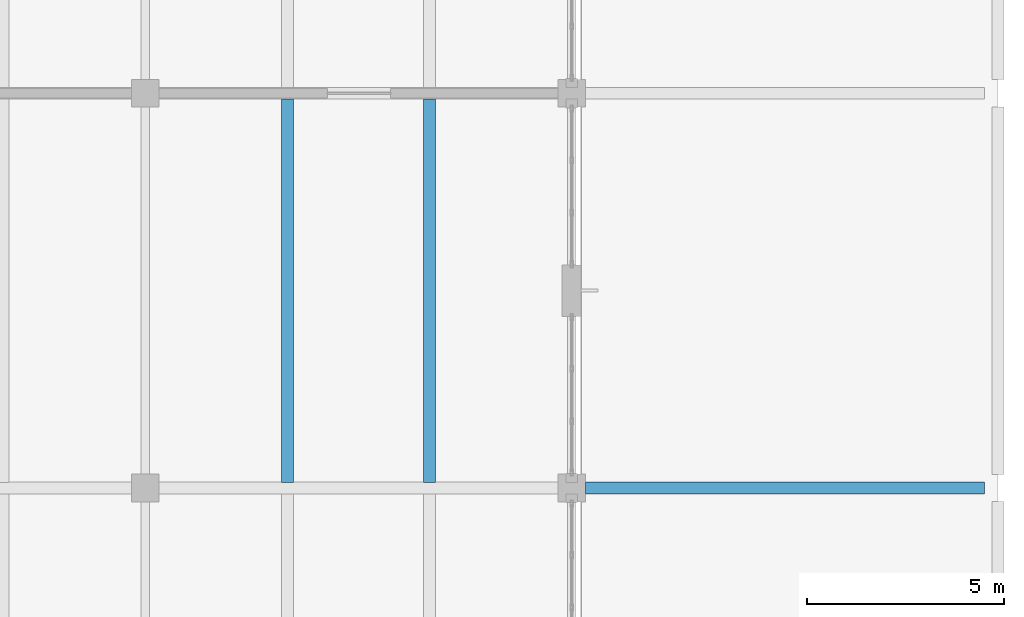
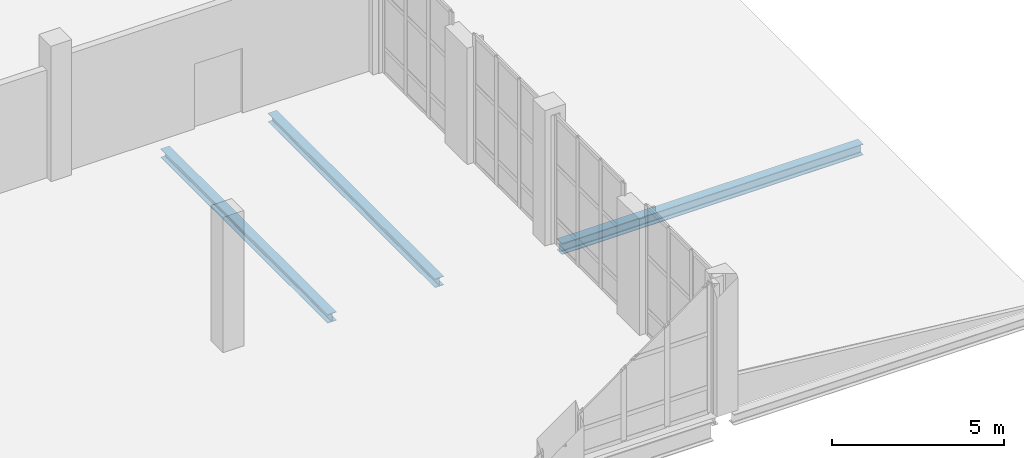
# One storey, part 51 of 92: 3 beams.
"""IFC4 building model written with IfcOpenShell, lengths in metres."""

import ifcopenshell
import ifcopenshell.guid

model = None  # the IFC model being written
_history = None  # IfcOwnerHistory: only IFC2X3 demands one
_inside = {}  # id of a spatial element -> (the spatial element, [elements in it])
_under = {}  # id of a project, library or spatial element -> (it, [spatial elements below it])
_declared = {}  # id of a project -> (the project, [libraries it declares])
_typed = {}  # id of a type object -> (the type object, [elements of that type])
_made_of = {}  # id of a material, layer set ... -> (it, [elements and type objects made of it])


def new_model(schema):
    """Start an empty IFC model of exactly this schema.

    Asked for "IFC4X3", IfcOpenShell would pick the latest addendum, in which some entities
    have other attributes; the version numbers below select the first issue.
    IFC2X3 requires an IfcOwnerHistory on every rooted entity: one is made here for all.
    """
    global model, _history
    if schema == "IFC4X3":
        model = ifcopenshell.file(schema_version=(4, 3, 0, 0))
    else:
        model = ifcopenshell.file(schema=schema)
    _inside.clear()
    _under.clear()
    _declared.clear()
    _typed.clear()
    _made_of.clear()
    _history = None
    if model.schema == "IFC2X3":
        org = make("IfcOrganization", Name="unknown")
        user = make(
            "IfcPersonAndOrganization",
            ThePerson=make("IfcPerson", FamilyName="unknown"),
            TheOrganization=org,
        )
        app = make(
            "IfcApplication",
            ApplicationDeveloper=org,
            Version="unknown",
            ApplicationFullName="unknown",
            ApplicationIdentifier="unknown",
        )
        _history = make(
            "IfcOwnerHistory",
            OwningUser=user,
            OwningApplication=app,
            ChangeAction="ADDED",
            CreationDate=0,
        )
    return model


def make(cls, **values):
    """One entity of the class cls with the attributes given. An attribute that is None is left unset."""
    return model.create_entity(
        cls, **{name: value for name, value in values.items() if value is not None}
    )


def rooted(cls, **values):
    """An entity with a GlobalId (a new one), such as an element, a storey or a relation."""
    return make(cls, GlobalId=ifcopenshell.guid.new(), OwnerHistory=_history, **values)


def si_unit(unit_type, name, prefix=None):
    """IfcSIUnit, for example si_unit("LENGTHUNIT", "METRE", prefix="MILLI")."""
    return make("IfcSIUnit", UnitType=unit_type, Prefix=prefix, Name=name)


def assignment(units):
    """IfcUnitAssignment: the units of a project."""
    return None if units is None else make("IfcUnitAssignment", Units=units)


def point(xyz):
    """IfcCartesianPoint."""
    return None if xyz is None else make("IfcCartesianPoint", Coordinates=xyz)


def direction(xyz):
    """IfcDirection."""
    return None if xyz is None else make("IfcDirection", DirectionRatios=xyz)


def frame(location, z_axis=None, x_axis=None):
    """IfcAxis2Placement3D, a coordinate frame: its origin and axes. An axis left out is left unset."""
    return make(
        "IfcAxis2Placement3D",
        Location=point(location),
        Axis=direction(z_axis),
        RefDirection=direction(x_axis),
    )


def frame_2d(location, x_axis=None):
    """IfcAxis2Placement2D, a coordinate frame in the plane: its origin and x axis."""
    return make(
        "IfcAxis2Placement2D", Location=point(location), RefDirection=direction(x_axis)
    )


def origin():
    """The frame at (0, 0, 0) with its axes left unset."""
    return frame((0.0, 0.0, 0.0))


def origin_2d():
    """The frame at (0, 0) in the plane with its x axis left unset."""
    return frame_2d((0.0, 0.0))


def place(relative_to, where):
    """IfcLocalPlacement: puts the frame where relative to a parent placement (None: the world)."""
    return make(
        "IfcLocalPlacement", PlacementRelTo=relative_to, RelativePlacement=where
    )


def context(
    kind, dimensions, precision=None, world=None, true_north=None, identifier=None
):
    """IfcGeometricRepresentationContext, for example the 3D "Model" context."""
    return make(
        "IfcGeometricRepresentationContext",
        ContextIdentifier=identifier,
        ContextType=kind,
        CoordinateSpaceDimension=dimensions,
        Precision=precision,
        WorldCoordinateSystem=world,
        TrueNorth=true_north,
    )


def subcontext(parent, identifier, kind, view, scale=None):
    """IfcGeometricRepresentationSubContext, for example "Body" below "Model"."""
    return make(
        "IfcGeometricRepresentationSubContext",
        ContextIdentifier=identifier,
        ContextType=kind,
        ParentContext=parent,
        TargetScale=scale,
        TargetView=view,
    )


def project(units=None, contexts=None):
    """IfcProject with its units and contexts."""
    return rooted(
        "IfcProject",
        Name="project",
        RepresentationContexts=contexts,
        UnitsInContext=assignment(units),
    )


def spatial(cls, under=None, at=None, **own):
    """A site, building, storey or space (cls), placed at a placement, below another one or the project."""
    s = rooted(cls, ObjectPlacement=at, **own)
    if under is not None:
        _under.setdefault(under.id(), (under, []))[1].append(s)
    return s


def profile(cls, at=None, kind="AREA", **sizes):
    """A parametric profile (cls). Its sizes go by their IFC names, for example OverallWidth=200.0."""
    return make(cls, ProfileType=kind, Position=at, **sizes)


def i_section(**sizes):
    """IfcIShapeProfileDef."""
    return profile("IfcIShapeProfileDef", **sizes)


def extrude(swept, where, along, depth):
    """IfcExtrudedAreaSolid: the profile swept, set in the frame where, extruded along a direction by depth."""
    return make(
        "IfcExtrudedAreaSolid",
        SweptArea=swept,
        Position=where,
        ExtrudedDirection=direction(along),
        Depth=depth,
    )


def shape(context_of_items, identifier, shape_type, items):
    """IfcShapeRepresentation: the items that make up one representation, for example the "Body"."""
    return make(
        "IfcShapeRepresentation",
        ContextOfItems=context_of_items,
        RepresentationIdentifier=identifier,
        RepresentationType=shape_type,
        Items=items,
    )


def material(Name=None, Category=None):
    """IfcMaterial."""
    return make("IfcMaterial", Name=Name, Category=Category)


def material_profile(
    of_material, cross_section, Name=None, Category=None, Priority=None
):
    """IfcMaterialProfile: a cross section and its material."""
    return make(
        "IfcMaterialProfile",
        Name=Name,
        Material=of_material,
        Profile=cross_section,
        Priority=Priority,
        Category=Category,
    )


def profile_set(profiles, Name=None, composite=None):
    """IfcMaterialProfileSet."""
    return make(
        "IfcMaterialProfileSet",
        Name=Name,
        MaterialProfiles=profiles,
        CompositeProfile=composite,
    )


def made_of(thing, what):
    """Note that an element or type object is made of a material, layer set ...; save() writes the relation."""
    if what is not None:
        _made_of.setdefault(what.id(), (what, []))[1].append(thing)
    return thing


def type_object(cls, material=None, **own):
    """A type object (cls), such as IfcWallType, which elements share."""
    return made_of(rooted(cls, **own), material)


def element(
    cls,
    number,
    at=None,
    inside=None,
    cuts=None,
    type_object=None,
    material=None,
    context=None,
    identifier="Body",
    shape_type=None,
    held_by="IfcProductDefinitionShape",
    body=None,
    shapes=None,
    **own,
):
    """One element of the class cls, such as IfcWall. Its Tag is "e" and its number.

    at: its placement. inside: the storey or other place that contains it. cuts: it is an
    opening in that element (IfcRelVoidsElement). A single representation is given by context,
    identifier, shape_type and body (its items); several are given by shapes. held_by: the class
    of the entity that holds the representations. save() writes the other relations.
    """
    e = rooted(cls, Tag="e%d" % number, ObjectPlacement=at, **own)
    if body is not None:
        shapes = [shape(context, identifier, shape_type, body)]
    if shapes is not None:
        e.Representation = make(held_by, Representations=shapes)
    if inside is not None:
        _inside.setdefault(inside.id(), (inside, []))[1].append(e)
    if cuts is not None:
        rooted(
            "IfcRelVoidsElement", RelatingBuildingElement=cuts, RelatedOpeningElement=e
        )
    if type_object is not None:
        _typed.setdefault(type_object.id(), (type_object, []))[1].append(e)
    return made_of(e, material)


def aggregate(whole, parts):
    """IfcRelAggregates: a whole, such as a stair, and the parts it consists of."""
    return rooted("IfcRelAggregates", RelatingObject=whole, RelatedObjects=parts)


def save(model, path):
    """Write the relations noted so far, then the file.

    IfcRelAggregates (storeys below a building ...), IfcRelContainedInSpatialStructure (elements
    in a storey), IfcRelDefinesByType, IfcRelAssociatesMaterial and IfcRelDeclares: one each for
    every whole, place, type object, material and project.
    """
    for whole, parts in _under.values():
        aggregate(whole, parts)
    for where, things in _inside.values():
        rooted(
            "IfcRelContainedInSpatialStructure",
            RelatedElements=things,
            RelatingStructure=where,
        )
    for kind, things in _typed.values():
        rooted("IfcRelDefinesByType", RelatedObjects=things, RelatingType=kind)
    for what, things in _made_of.values():
        rooted("IfcRelAssociatesMaterial", RelatedObjects=things, RelatingMaterial=what)
    for by, libraries in _declared.values():
        rooted("IfcRelDeclares", RelatingContext=by, RelatedDefinitions=libraries)
    model.write(path)


model = new_model("IFC4")

# Units and contexts
model_context = context("Model", 3, precision=1e-05, world=origin(), true_north=direction((0.0, 1.0)))
body_context = subcontext(model_context, "Body", "Model", "MODEL_VIEW")
ifc_project = project(units=[si_unit("LENGTHUNIT", "METRE"), si_unit("AREAUNIT", "SQUARE_METRE"), si_unit("VOLUMEUNIT", "CUBIC_METRE"), si_unit("PLANEANGLEUNIT", "RADIAN"), si_unit("MASSUNIT", "GRAM", prefix="KILO")], contexts=[model_context])

# Site, building, storey
site_placement = place(None, origin())
site = spatial("IfcSite", under=ifc_project, at=site_placement, CompositionType="ELEMENT")
building_placement = place(site_placement, origin())
building = spatial("IfcBuilding", under=site, at=building_placement, Name="Tasgan Crest Museum", CompositionType="ELEMENT")
storey_placement = place(building_placement, frame((0.0, 0.0, 4.800048828125)))
storey = spatial("IfcBuildingStorey", under=building, at=storey_placement, Name="L01", CompositionType="ELEMENT", Elevation=4.800048828125)

# Beams
ifc_material_1 = material(Name="Steel S355J2", Category="steel")
ifc_material_profile_1 = material_profile(ifc_material_1, i_section(OverallWidth=0.300048828125, OverallDepth=0.389892578125, WebThickness=0.010986328125, FlangeThickness=0.01904296875, FilletRadius=0.027099609375, at=origin_2d()), Name="HEA 400")
ifc_profile_set_1 = profile_set([ifc_material_profile_1], Name="Steel S355J2")
beam_type_1 = type_object("IfcBeamType", Name="BM-G-HEA400", PredefinedType="BEAM", material=ifc_profile_set_1)
beam_placement = place(storey_placement, frame((151.5458984375, 20.0, -0.47509765625), z_axis=(1.0, 0.0, 0.0), x_axis=(0.0, 1.0, 0.0)))
element("IfcBeam", 1, at=beam_placement, inside=storey, type_object=beam_type_1, Name="East loading dock sloped roof girder C 151.2", PredefinedType="BEAM", context=body_context, shape_type="SweptSolid", body=[
    extrude(i_section(OverallWidth=0.300048828125, OverallDepth=0.389892578125, WebThickness=0.010986328125, FlangeThickness=0.01904296875, FilletRadius=0.027099609375, at=origin_2d()), origin(), (0.0, 0.0, 1.0), 10.108154296875),
])
ifc_material_2 = material(Name="Steel S355J2", Category="steel")
ifc_material_profile_2 = material_profile(ifc_material_2, i_section(OverallWidth=0.300048828125, OverallDepth=0.31005859375, WebThickness=0.009033203125, FlangeThickness=0.015380859375, FilletRadius=0.027099609375, at=origin_2d()), Name="HEA 320")
ifc_profile_set_2 = profile_set([ifc_material_profile_2], Name="Steel S355J2")
beam_type_2 = type_object("IfcBeamType", Name="BM-J-HEA320", PredefinedType="JOIST", material=ifc_profile_set_2)
for number, where, z_axis, x_axis, name in (
    (2, (144.0, 20.14501953125, -0.43505859375), (0.0, 1.0, 0.0), (-1.0, 0.0, 0.0), "Secondary joist L01 X=144.0 Y=20.0-30.0"),
    (3, (147.60009765625, 20.14501953125, -0.43505859375), (0.0, 1.0, 0.0), (-1.0, 0.0, 0.0), "Secondary joist L01 X=147.6 Y=20.0-30.0"),
):
    element("IfcBeam", number, at=place(storey_placement, frame(where, z_axis=z_axis, x_axis=x_axis)), inside=storey, type_object=beam_type_2, Name=name, PredefinedType="JOIST", context=body_context, shape_type="SweptSolid", body=[
        extrude(i_section(OverallWidth=0.300048828125, OverallDepth=0.31005859375, WebThickness=0.009033203125, FlangeThickness=0.015380859375, FilletRadius=0.027099609375, at=origin_2d()), origin(), (0.0, 0.0, 1.0), 9.7099609375),
    ])

save(model, "model.ifc")
